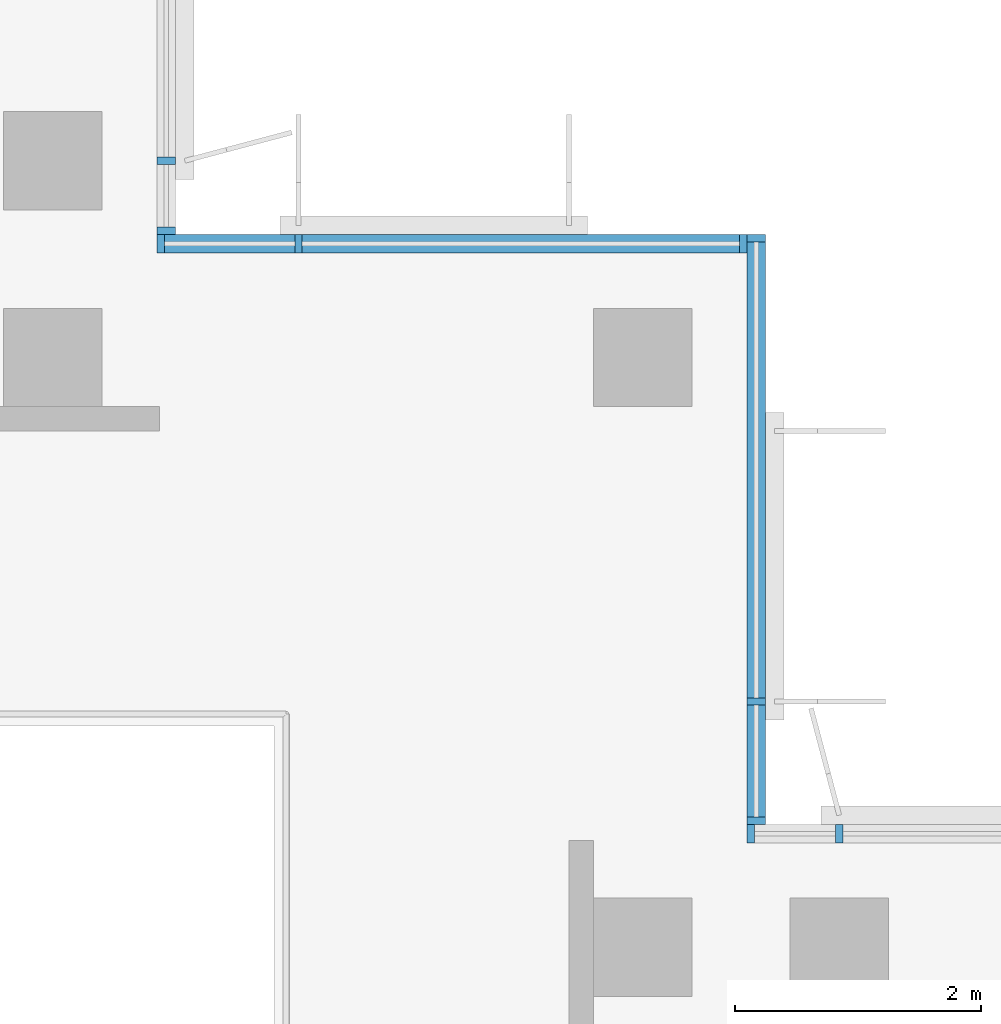
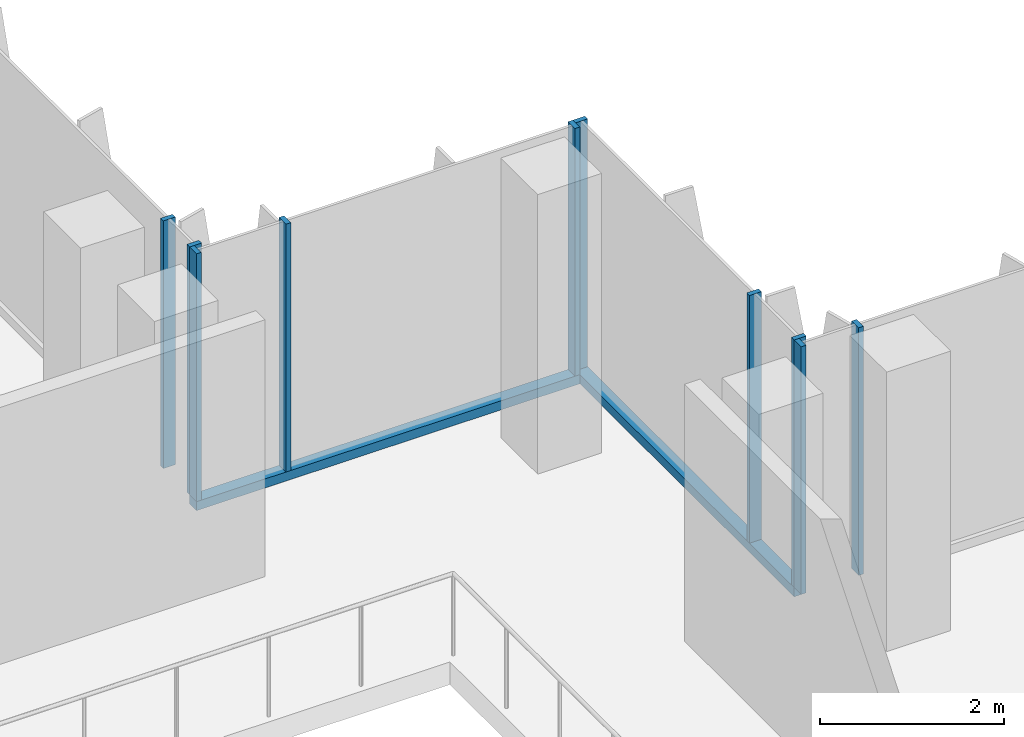
# One storey, part 2 of 15: 12 members, 4 elements without a shape of their own.
"""IFC4 building model written with IfcOpenShell, lengths in metres."""

from ifc_helpers import new_model, si_unit, direction, frame, origin, origin_2d, place, context, subcontext, project, spatial, rectangle, extrude, source, transform, mapped, material, material_profile, profile_set, type_object, element, aggregate, save


model = new_model("IFC4")

# Units and contexts
model_context = context("Model", 3, precision=1e-05, world=origin(), true_north=direction((0.0, 1.0)))
body_context = subcontext(model_context, "Body", "Model", "MODEL_VIEW")
ifc_project = project(units=[si_unit("LENGTHUNIT", "METRE"), si_unit("AREAUNIT", "SQUARE_METRE"), si_unit("VOLUMEUNIT", "CUBIC_METRE"), si_unit("PLANEANGLEUNIT", "RADIAN"), si_unit("MASSUNIT", "GRAM", prefix="KILO")], contexts=[model_context])

# Site, building, storey
site_placement = place(None, origin())
site = spatial("IfcSite", under=ifc_project, at=site_placement, CompositionType="ELEMENT")
building_placement = place(site_placement, origin())
building = spatial("IfcBuilding", under=site, at=building_placement, Name="Kemantara Hotel Tower", CompositionType="ELEMENT")
storey_placement = place(building_placement, frame((0.0, 0.0, 233.89990234375)))
storey = spatial("IfcBuildingStorey", under=building, at=storey_placement, Name="L58", CompositionType="ELEMENT", Elevation=233.89990234375)

# Curtain wall, member
ifc_material_1 = material(Name="Low-E tinted double insulated glass 36 mm", Category="glass")
curtain_wall_type = type_object("IfcCurtainWallType", Name="TOWER CURTAIN WALL, FRONT FACES", PredefinedType="USERDEFINED", material=ifc_material_1)
curtain_wall_1_placement = place(storey_placement, origin())
curtain_wall_1 = element("IfcCurtainWall", 1, at=curtain_wall_1_placement, inside=storey, type_object=curtain_wall_type, Name="CW4 L58 T4-R13-1", ObjectType="TOWER CURTAIN WALL, FRONT FACES", PredefinedType="USERDEFINED")
ifc_material_2 = material(Name="Aluminium 6063-T6 bronze anodised", Category="aluminium")
ifc_material_profile_1 = material_profile(ifc_material_2, rectangle(XDim=0.14990234375, YDim=0.1201171875, at=origin_2d()), Name="TOWER CURTAIN WALL, FRONT FACES TRANSOM")
ifc_profile_set_1 = profile_set([ifc_material_profile_1], Name="Aluminium 6063-T6 bronze anodised")
member_type_1 = type_object("IfcMemberType", Name="TOWER CURTAIN WALL, FRONT FACES TRANSOM", PredefinedType="USERDEFINED", material=ifc_profile_set_1)
member_1_placement = place(storey_placement, frame((26.72509765625, 22.0, 0.06005859375), z_axis=(0.0, 1.0, 0.0), x_axis=(-1.0, 0.0, 0.0)))
member_1 = element("IfcMember", 2, at=member_1_placement, type_object=member_type_1, Name="CW4 sill transom T4-R13-1", ObjectType="TRANSOM", PredefinedType="USERDEFINED", context=body_context, shape_type="SweptSolid", body=[
    extrude(rectangle(XDim=0.14990234375, YDim=0.1201171875, at=origin_2d()), origin(), (0.0, 0.0, 1.0), 4.800048828125),
])

curtain_wall_2_placement = place(storey_placement, origin())
curtain_wall_2 = element("IfcCurtainWall", 3, at=curtain_wall_2_placement, inside=storey, type_object=curtain_wall_type, Name="CW4 L58 T4-R14-1", ObjectType="TOWER CURTAIN WALL, FRONT FACES", PredefinedType="USERDEFINED")
member_2_placement = place(storey_placement, frame((26.64990234375, 26.72509765625, 0.06005859375), z_axis=(-1.0, 0.0, 0.0), x_axis=(0.0, -1.0, 0.0)))
member_2 = element("IfcMember", 4, at=member_2_placement, type_object=member_type_1, Name="CW4 sill transom T4-R14-1", ObjectType="TRANSOM", PredefinedType="USERDEFINED", context=body_context, shape_type="SweptSolid", body=[
    extrude(rectangle(XDim=0.14990234375, YDim=0.1201171875, at=origin_2d()), origin(), (0.0, 0.0, 1.0), 4.7998046875),
])

# Curtain wall, members
curtain_wall_3_placement = place(storey_placement, origin())
curtain_wall_3 = element("IfcCurtainWall", 5, at=curtain_wall_3_placement, inside=storey, type_object=curtain_wall_type, Name="CW4 L58 T4-R12-1", ObjectType="TOWER CURTAIN WALL, FRONT FACES", PredefinedType="USERDEFINED")
ifc_material_profile_2 = material_profile(ifc_material_2, rectangle(XDim=0.14990234375, YDim=0.06005859375, at=origin_2d()), Name="TOWER CURTAIN WALL, FRONT FACES MULLION")
ifc_profile_set_2 = profile_set([ifc_material_profile_2], Name="Aluminium 6063-T6 bronze anodised")
member_type_2 = type_object("IfcMemberType", Name="TOWER CURTAIN WALL, FRONT FACES MULLION", PredefinedType="MULLION", material=ifc_profile_set_2)
shared_shape = source(origin(), body_context, "Body", "SweptSolid", [
    extrude(rectangle(XDim=0.14990234375, YDim=0.06005859375, at=origin_2d()), origin(), (0.0, 0.0, 1.0), 3.280029296875),
])
member_3_placement = place(storey_placement, frame((27.39990234375, 21.925048828125, 0.1201171875), z_axis=(0.0, 0.0, 1.0), x_axis=(0.0, -1.0, 0.0)))
member_3 = element("IfcMember", 6, at=member_3_placement, type_object=member_type_2, Name="CW4 mullion T4-R12-1.5", PredefinedType="MULLION", context=body_context, shape_type="MappedRepresentation", body=[
    mapped(shared_shape, transform((0.0, 0.0, 0.0))),
])
member_4_placement = place(storey_placement, frame((26.679931640625, 21.925048828125, 0.1201171875), z_axis=(0.0, 0.0, 1.0), x_axis=(0.0, -1.0, 0.0)))
member_4 = element("IfcMember", 7, at=member_4_placement, type_object=member_type_2, Name="CW4 mullion T4-R12-1.6", PredefinedType="MULLION", context=body_context, shape_type="MappedRepresentation", body=[
    mapped(shared_shape, transform((0.0, 0.0, 0.0))),
])
aggregate(curtain_wall_3, [member_3, member_4])

# Member
member_5_placement = place(storey_placement, frame((26.72509765625, 22.030029296875, 0.1201171875), z_axis=(0.0, 0.0, 1.0), x_axis=(-1.0, 0.0, 0.0)))
member_5 = element("IfcMember", 8, at=member_5_placement, type_object=member_type_2, Name="CW4 mullion T4-R13-1.1", PredefinedType="MULLION", context=body_context, shape_type="MappedRepresentation", body=[
    mapped(shared_shape, transform((0.0, 0.0, 0.0))),
])

member_6_placement = place(storey_placement, frame((26.72509765625, 23.0, 0.1201171875), z_axis=(0.0, 0.0, 1.0), x_axis=(-1.0, 0.0, 0.0)))
member_6 = element("IfcMember", 9, at=member_6_placement, type_object=member_type_2, Name="CW4 mullion T4-R13-1.2", PredefinedType="MULLION", context=body_context, shape_type="MappedRepresentation", body=[
    mapped(shared_shape, transform((0.0, 0.0, 0.0))),
])

member_7_placement = place(storey_placement, frame((26.72509765625, 26.77001953125, 0.1201171875), z_axis=(0.0, 0.0, 1.0), x_axis=(-1.0, 0.0, 0.0)))
member_7 = element("IfcMember", 10, at=member_7_placement, type_object=member_type_2, Name="CW4 mullion T4-R13-1.3", PredefinedType="MULLION", context=body_context, shape_type="MappedRepresentation", body=[
    mapped(shared_shape, transform((0.0, 0.0, 0.0))),
])

aggregate(curtain_wall_1, [member_1, member_5, member_6, member_7])

member_8_placement = place(storey_placement, frame((26.6201171875, 26.72509765625, 0.1201171875), z_axis=(0.0, 0.0, 1.0), x_axis=(0.0, -1.0, 0.0)))
member_8 = element("IfcMember", 11, at=member_8_placement, type_object=member_type_2, Name="CW4 mullion T4-R14-1.1", PredefinedType="MULLION", context=body_context, shape_type="MappedRepresentation", body=[
    mapped(shared_shape, transform((0.0, 0.0, 0.0))),
])

member_9_placement = place(storey_placement, frame((23.0, 26.72509765625, 0.1201171875), z_axis=(0.0, 0.0, 1.0), x_axis=(0.0, -1.0, 0.0)))
member_9 = element("IfcMember", 12, at=member_9_placement, type_object=member_type_2, Name="CW4 mullion T4-R14-1.2", PredefinedType="MULLION", context=body_context, shape_type="MappedRepresentation", body=[
    mapped(shared_shape, transform((0.0, 0.0, 0.0))),
])

member_10_placement = place(storey_placement, frame((21.8798828125, 26.72509765625, 0.1201171875), z_axis=(0.0, 0.0, 1.0), x_axis=(0.0, -1.0, 0.0)))
member_10 = element("IfcMember", 13, at=member_10_placement, type_object=member_type_2, Name="CW4 mullion T4-R14-1.3", PredefinedType="MULLION", context=body_context, shape_type="MappedRepresentation", body=[
    mapped(shared_shape, transform((0.0, 0.0, 0.0))),
])

aggregate(curtain_wall_2, [member_2, member_8, member_9, member_10])

# Curtain wall, members
curtain_wall_4_placement = place(storey_placement, origin())
curtain_wall_4 = element("IfcCurtainWall", 14, at=curtain_wall_4_placement, inside=storey, type_object=curtain_wall_type, Name="CW4 L58 T4-R15-1", ObjectType="TOWER CURTAIN WALL, FRONT FACES", PredefinedType="USERDEFINED")
member_11_placement = place(storey_placement, frame((21.925048828125, 26.830078125, 0.1201171875), z_axis=(0.0, 0.0, 1.0), x_axis=(-1.0, 0.0, 0.0)))
member_11 = element("IfcMember", 15, at=member_11_placement, type_object=member_type_2, Name="CW4 mullion T4-R15-1.1", PredefinedType="MULLION", context=body_context, shape_type="MappedRepresentation", body=[
    mapped(shared_shape, transform((0.0, 0.0, 0.0))),
])
member_12_placement = place(storey_placement, frame((21.925048828125, 27.39990234375, 0.1201171875), z_axis=(0.0, 0.0, 1.0), x_axis=(-1.0, 0.0, 0.0)))
member_12 = element("IfcMember", 16, at=member_12_placement, type_object=member_type_2, Name="CW4 mullion T4-R15-1.2", PredefinedType="MULLION", context=body_context, shape_type="MappedRepresentation", body=[
    mapped(shared_shape, transform((0.0, 0.0, 0.0))),
])
aggregate(curtain_wall_4, [member_11, member_12])

save(model, "model.ifc")
